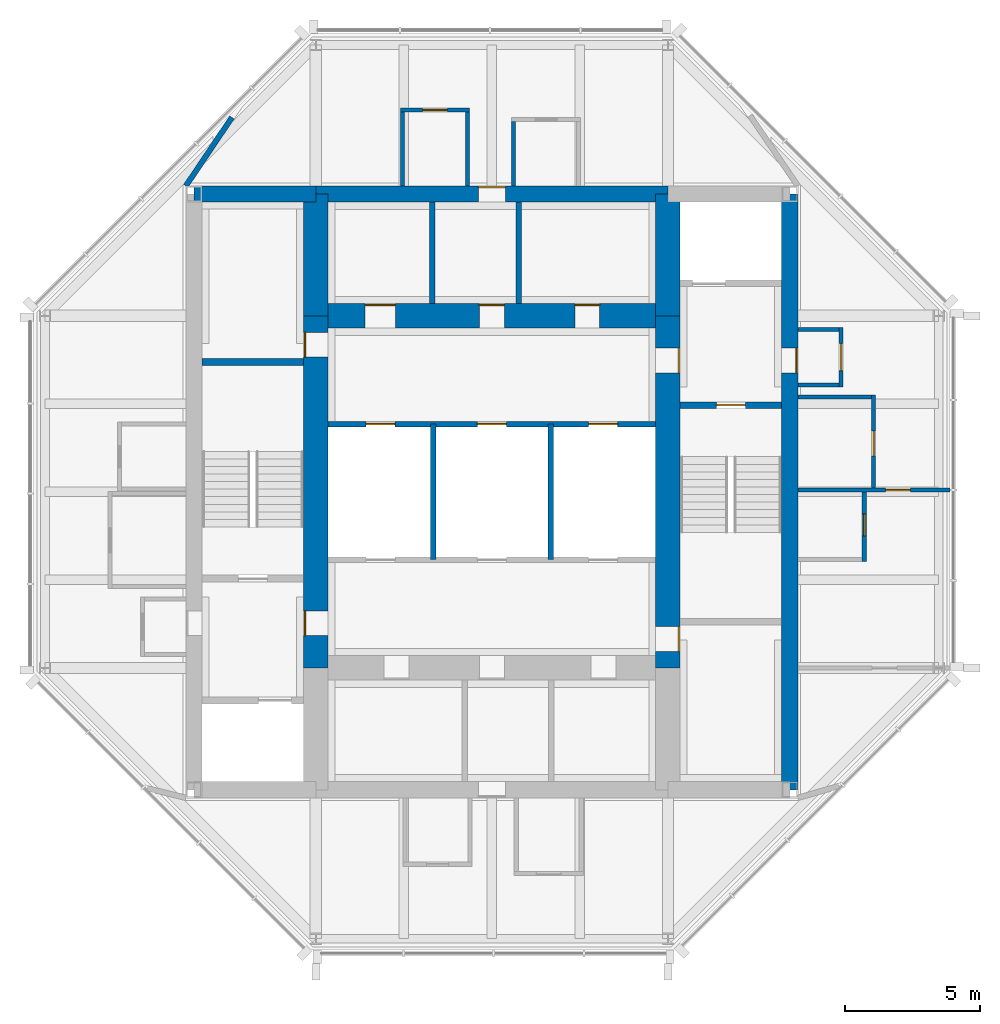
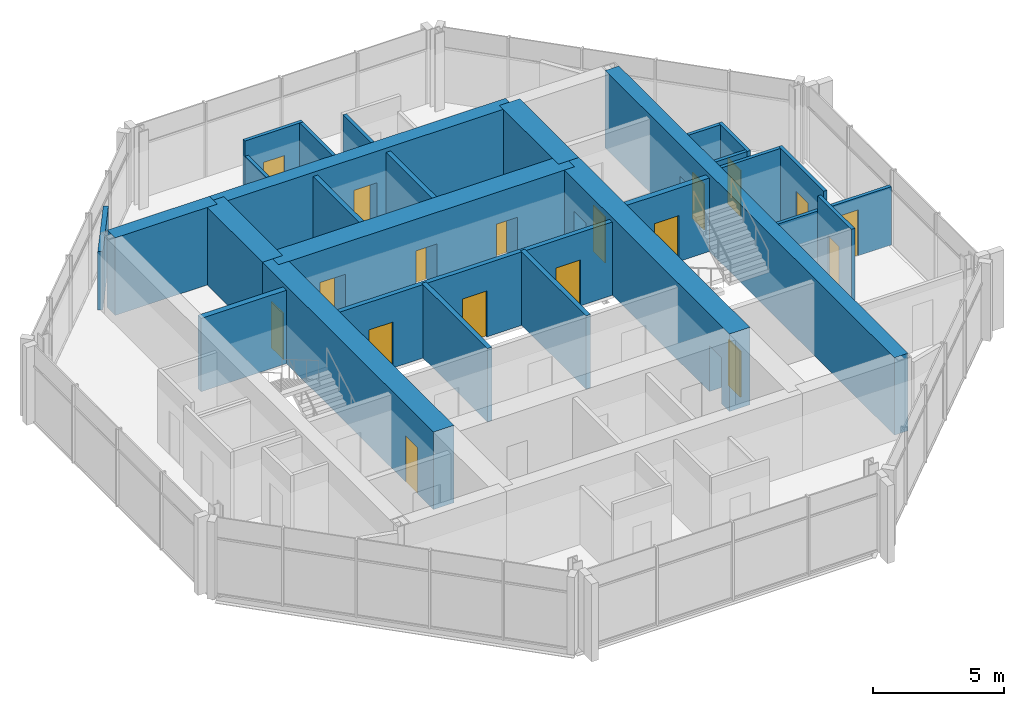
# One storey, part 6 of 8: 27 walls, 18 doors, 18 openings.
"""IFC4 building model written with IfcOpenShell, lengths in metres."""

from ifc_helpers import new_model, si_unit, direction, frame, frame_2d, origin, place, context, subcontext, project, spatial, rectangle, extrude, material, layer, layer_set, type_object, element, fill, save


model = new_model("IFC4")

# Units and contexts
model_context = context("Model", 3, precision=1e-05, world=origin(), true_north=direction((0.0, 1.0)))
body_context = subcontext(model_context, "Body", "Model", "MODEL_VIEW")
ifc_project = project(units=[si_unit("LENGTHUNIT", "METRE"), si_unit("AREAUNIT", "SQUARE_METRE"), si_unit("VOLUMEUNIT", "CUBIC_METRE"), si_unit("PLANEANGLEUNIT", "RADIAN"), si_unit("MASSUNIT", "GRAM", prefix="KILO")], contexts=[model_context])

# Site, building, storey
site_placement = place(None, origin())
site = spatial("IfcSite", under=ifc_project, at=site_placement, CompositionType="ELEMENT")
building_placement = place(site_placement, origin())
building = spatial("IfcBuilding", under=site, at=building_placement, Name="Trevanion Tower", CompositionType="ELEMENT")
storey_placement = place(building_placement, frame((0.0, 0.0, 266.800048828125)))
storey = spatial("IfcBuildingStorey", under=building, at=storey_placement, Name="L65", CompositionType="ELEMENT", Elevation=266.800048828125)

# Wall, opening, door
ifc_material_1 = material(Name="Concrete 10,000 psi", Category="concrete")
ifc_layer_1 = layer(ifc_material_1, 0.60009765625)
ifc_layer_set_1 = layer_set([ifc_layer_1], Name="CW1 core wall 600")
wall_type_1 = type_object("IfcWallType", Name="CW1 core wall 600", PredefinedType="SHEAR", material=ifc_layer_set_1)
wall_1_placement = place(storey_placement, frame((11.0, -11.0, 0.0), z_axis=(0.0, 0.0, 1.0), x_axis=(0.0, 1.0, 0.0)))
wall_1 = element("IfcWall", 1, at=wall_1_placement, inside=storey, type_object=wall_type_1, Name="CW1 CE L65", PredefinedType="SHEAR", context=body_context, shape_type="SweptSolid", body=[
    extrude(rectangle(XDim=22.0, YDim=0.60009765625, at=frame_2d((11.0, 0.0))), origin(), (0.0, 0.0, 1.0), 3.599853515625),
])
opening_1_placement = place(wall_1_placement, frame((15.392578125, 0.0, 0.0)))
opening_1 = element("IfcOpeningElement", 2, at=opening_1_placement, cuts=wall_1, Name="Opening 65-001", PredefinedType="OPENING", context=body_context, shape_type="SweptSolid", body=[
    extrude(rectangle(XDim=0.9150390625, YDim=2.134033203125, at=frame_2d((0.45751953125, 1.06689453125))), frame((0.0, 0.31005859375, 0.0), z_axis=(0.0, -1.0, 0.0), x_axis=(1.0, 0.0, 0.0)), (0.0, 0.0, 1.0), 0.6201171875),
])
ifc_material_2 = material(Name="Hollow metal, fire rated", Category="steel")
door_type_1 = type_object("IfcDoorType", Name="D3 fire lift lobby door", OperationType="SINGLE_SWING_RIGHT", PredefinedType="DOOR", material=ifc_material_2)
door_1_placement = place(opening_1_placement, origin())
door_1 = element("IfcDoor", 3, at=door_1_placement, inside=storey, type_object=door_type_1, Name="Door 65-001", OperationType="SINGLE_SWING_RIGHT", OverallHeight=2.134033203125, OverallWidth=0.9150390625, PredefinedType="DOOR", context=body_context, shape_type="SweptSolid", body=[
    extrude(rectangle(XDim=0.9150390625, YDim=2.134033203125, at=frame_2d((0.45751953125, 1.06689453125))), frame((0.0, -0.22509765625, 0.0), z_axis=(0.0, -1.0, 0.0), x_axis=(1.0, 0.0, 0.0)), (0.0, 0.0, 1.0), 0.050048828125),
])
fill(opening_1, door_1)

wall_2_placement = place(storey_placement, frame((6.5, 11.0, 0.0), z_axis=(0.0, 0.0, 1.0), x_axis=(-1.0, 0.0, 0.0)))
wall_2 = element("IfcWall", 4, at=wall_2_placement, inside=storey, type_object=wall_type_1, Name="CW1 CN2 L65", PredefinedType="SHEAR", context=body_context, shape_type="SweptSolid", body=[
    extrude(rectangle(XDim=13.0, YDim=0.60009765625, at=frame_2d((6.5, 0.0))), origin(), (0.0, 0.0, 1.0), 3.599853515625),
])
opening_2_placement = place(wall_2_placement, frame((6.0, 0.0, 0.0)))
opening_2 = element("IfcOpeningElement", 5, at=opening_2_placement, cuts=wall_2, Name="Opening 65-018", PredefinedType="OPENING", context=body_context, shape_type="SweptSolid", body=[
    extrude(rectangle(XDim=1.0, YDim=2.134033203125, at=frame_2d((0.5, 1.06689453125))), frame((0.0, 0.31005859375, 0.0), z_axis=(0.0, -1.0, 0.0), x_axis=(1.0, 0.0, 0.0)), (0.0, 0.0, 1.0), 0.6201171875),
])
ifc_material_3 = material(Name="Timber veneer on steel frame, fire rated", Category="steel")
door_type_2 = type_object("IfcDoorType", Name="D13 residence entrance door", OperationType="SINGLE_SWING_RIGHT", PredefinedType="DOOR", material=ifc_material_3)
door_2_placement = place(opening_2_placement, origin())
door_2 = element("IfcDoor", 6, at=door_2_placement, inside=storey, type_object=door_type_2, Name="Door 65-018", OperationType="SINGLE_SWING_RIGHT", OverallHeight=2.134033203125, OverallWidth=1.0, PredefinedType="DOOR", context=body_context, shape_type="SweptSolid", body=[
    extrude(rectangle(XDim=1.0, YDim=2.134033203125, at=frame_2d((0.5, 1.06689453125))), frame((0.0, -0.22509765625, 0.0), z_axis=(0.0, -1.0, 0.0), x_axis=(1.0, 0.0, 0.0)), (0.0, 0.0, 1.0), 0.050048828125),
])
fill(opening_2, door_2)

# Wall
wall_3_placement = place(storey_placement, frame((-6.5, 11.0, 0.0), z_axis=(0.0, 0.0, 1.0), x_axis=(-1.0, 0.0, 0.0)))
element("IfcWall", 7, at=wall_3_placement, inside=storey, type_object=wall_type_1, Name="CW1 CN3 L65", PredefinedType="SHEAR", context=body_context, shape_type="SweptSolid", body=[
    extrude(rectangle(XDim=4.5, YDim=0.60009765625, at=frame_2d((2.25, 0.0))), origin(), (0.0, 0.0, 1.0), 3.599853515625),
])

# Wall, openings, doors
ifc_material_4 = material(Name="Concrete 10,000 psi", Category="concrete")
ifc_layer_2 = layer(ifc_material_4, 0.89990234375)
ifc_layer_set_2 = layer_set([ifc_layer_2], Name="CW2 core wall 900")
wall_type_2 = type_object("IfcWallType", Name="CW2 core wall 900", PredefinedType="SHEAR", material=ifc_layer_set_2)
wall_4_placement = place(storey_placement, frame((6.5, -6.5, 0.0), z_axis=(0.0, 0.0, 1.0), x_axis=(0.0, 1.0, 0.0)))
wall_4 = element("IfcWall", 8, at=wall_4_placement, inside=storey, type_object=wall_type_2, Name="CW2 RE2 L65", PredefinedType="SHEAR", context=body_context, shape_type="SweptSolid", body=[
    extrude(rectangle(XDim=13.0, YDim=0.89990234375, at=frame_2d((6.5, 0.0))), origin(), (0.0, 0.0, 1.0), 3.599853515625),
])
opening_3_placement = place(wall_4_placement, frame((10.892578125, 0.0, 0.0)))
opening_3 = element("IfcOpeningElement", 9, at=opening_3_placement, cuts=wall_4, Name="Opening 65-003", PredefinedType="OPENING", context=body_context, shape_type="SweptSolid", body=[
    extrude(rectangle(XDim=0.9150390625, YDim=2.134033203125, at=frame_2d((0.45751953125, 1.06689453125))), frame((0.0, 0.4599609375, 0.0), z_axis=(0.0, -1.0, 0.0), x_axis=(1.0, 0.0, 0.0)), (0.0, 0.0, 1.0), 0.919921875),
])
opening_4_placement = place(wall_4_placement, frame((0.610107421875, 0.0, 0.0)))
opening_4 = element("IfcOpeningElement", 10, at=opening_4_placement, cuts=wall_4, Name="Opening 65-009", PredefinedType="OPENING", context=body_context, shape_type="SweptSolid", body=[
    extrude(rectangle(XDim=0.9150390625, YDim=2.134033203125, at=frame_2d((0.45751953125, 1.06689453125))), frame((0.0, 0.4599609375, 0.0), z_axis=(0.0, -1.0, 0.0), x_axis=(1.0, 0.0, 0.0)), (0.0, 0.0, 1.0), 0.919921875),
])
door_3_placement = place(opening_3_placement, origin())
door_3 = element("IfcDoor", 11, at=door_3_placement, inside=storey, type_object=door_type_1, Name="Door 65-003", OperationType="SINGLE_SWING_RIGHT", OverallHeight=2.134033203125, OverallWidth=0.9150390625, PredefinedType="DOOR", context=body_context, shape_type="SweptSolid", body=[
    extrude(rectangle(XDim=0.9150390625, YDim=2.134033203125, at=frame_2d((0.45751953125, 1.06689453125))), frame((0.0, -0.375, 0.0), z_axis=(0.0, -1.0, 0.0), x_axis=(1.0, 0.0, 0.0)), (0.0, 0.0, 1.0), 0.050048828125),
])
fill(opening_3, door_3)
ifc_material_5 = material(Name="Hollow metal, fire rated", Category="steel")
door_type_3 = type_object("IfcDoorType", Name="D5 service room door", OperationType="SINGLE_SWING_RIGHT", PredefinedType="DOOR", material=ifc_material_5)
door_4_placement = place(opening_4_placement, origin())
door_4 = element("IfcDoor", 12, at=door_4_placement, inside=storey, type_object=door_type_3, Name="Door 65-009", OperationType="SINGLE_SWING_RIGHT", OverallHeight=2.134033203125, OverallWidth=0.9150390625, PredefinedType="DOOR", context=body_context, shape_type="SweptSolid", body=[
    extrude(rectangle(XDim=0.9150390625, YDim=2.134033203125, at=frame_2d((0.45751953125, 1.06689453125))), frame((0.0, -0.375, 0.0), z_axis=(0.0, -1.0, 0.0), x_axis=(1.0, 0.0, 0.0)), (0.0, 0.0, 1.0), 0.050048828125),
])
fill(opening_4, door_4)

# Walls
for number, where, z_axis, x_axis, name in (
    (13, (6.5, 6.5, 0.0), (0.0, 0.0, 1.0), (0.0, 1.0, 0.0), "CW2 RE3 L65"),
    (14, (-6.5, 11.0, 0.0), (0.0, 0.0, 1.0), (0.0, -1.0, 0.0), "CW2 RW1 L65"),
):
    element("IfcWall", number, at=place(storey_placement, frame(where, z_axis=z_axis, x_axis=x_axis)), inside=storey, type_object=wall_type_2, Name=name, PredefinedType="SHEAR", context=body_context, shape_type="SweptSolid", body=[
        extrude(rectangle(XDim=4.5, YDim=0.89990234375, at=frame_2d((2.25, 0.0))), origin(), (0.0, 0.0, 1.0), 3.599853515625),
    ])

# Wall, openings, doors
wall_5_placement = place(storey_placement, frame((-6.5, 6.5, 0.0), z_axis=(0.0, 0.0, 1.0), x_axis=(0.0, -1.0, 0.0)))
wall_5 = element("IfcWall", 15, at=wall_5_placement, inside=storey, type_object=wall_type_2, Name="CW2 RW2 L65", PredefinedType="SHEAR", context=body_context, shape_type="SweptSolid", body=[
    extrude(rectangle(XDim=13.0, YDim=0.89990234375, at=frame_2d((6.5, 0.0))), origin(), (0.0, 0.0, 1.0), 3.599853515625),
])
opening_5_placement = place(wall_5_placement, frame((10.892578125, 0.0, 0.0)))
opening_5 = element("IfcOpeningElement", 16, at=opening_5_placement, cuts=wall_5, Name="Opening 65-004", PredefinedType="OPENING", context=body_context, shape_type="SweptSolid", body=[
    extrude(rectangle(XDim=0.9150390625, YDim=2.134033203125, at=frame_2d((0.45751953125, 1.06689453125))), frame((0.0, 0.4599609375, 0.0), z_axis=(0.0, -1.0, 0.0), x_axis=(1.0, 0.0, 0.0)), (0.0, 0.0, 1.0), 0.919921875),
])
opening_6_placement = place(wall_5_placement, frame((0.610107421875, 0.0, 0.0)))
opening_6 = element("IfcOpeningElement", 17, at=opening_6_placement, cuts=wall_5, Name="Opening 65-010", PredefinedType="OPENING", context=body_context, shape_type="SweptSolid", body=[
    extrude(rectangle(XDim=0.9150390625, YDim=2.134033203125, at=frame_2d((0.45751953125, 1.06689453125))), frame((0.0, 0.4599609375, 0.0), z_axis=(0.0, -1.0, 0.0), x_axis=(1.0, 0.0, 0.0)), (0.0, 0.0, 1.0), 0.919921875),
])
door_5_placement = place(opening_5_placement, origin())
door_5 = element("IfcDoor", 18, at=door_5_placement, inside=storey, type_object=door_type_1, Name="Door 65-004", OperationType="SINGLE_SWING_RIGHT", OverallHeight=2.134033203125, OverallWidth=0.9150390625, PredefinedType="DOOR", context=body_context, shape_type="SweptSolid", body=[
    extrude(rectangle(XDim=0.9150390625, YDim=2.134033203125, at=frame_2d((0.45751953125, 1.06689453125))), frame((0.0, -0.375, 0.0), z_axis=(0.0, -1.0, 0.0), x_axis=(1.0, 0.0, 0.0)), (0.0, 0.0, 1.0), 0.050048828125),
])
fill(opening_5, door_5)
door_6_placement = place(opening_6_placement, origin())
door_6 = element("IfcDoor", 19, at=door_6_placement, inside=storey, type_object=door_type_3, Name="Door 65-010", OperationType="SINGLE_SWING_RIGHT", OverallHeight=2.134033203125, OverallWidth=0.9150390625, PredefinedType="DOOR", context=body_context, shape_type="SweptSolid", body=[
    extrude(rectangle(XDim=0.9150390625, YDim=2.134033203125, at=frame_2d((0.45751953125, 1.06689453125))), frame((0.0, -0.375, 0.0), z_axis=(0.0, -1.0, 0.0), x_axis=(1.0, 0.0, 0.0)), (0.0, 0.0, 1.0), 0.050048828125),
])
fill(opening_6, door_6)

wall_6_placement = place(storey_placement, frame((6.5, 6.5, 0.0), z_axis=(0.0, 0.0, 1.0), x_axis=(-1.0, 0.0, 0.0)))
wall_6 = element("IfcWall", 20, at=wall_6_placement, inside=storey, type_object=wall_type_2, Name="CW2 RN L65", PredefinedType="SHEAR", context=body_context, shape_type="SweptSolid", body=[
    extrude(rectangle(XDim=13.0, YDim=0.89990234375, at=frame_2d((6.5, 0.0))), origin(), (0.0, 0.0, 1.0), 3.599853515625),
])
opening_7_placement = place(wall_6_placement, frame((6.04248046875, 0.0, 0.0)))
opening_7 = element("IfcOpeningElement", 21, at=opening_7_placement, cuts=wall_6, Name="Opening 65-017", PredefinedType="OPENING", context=body_context, shape_type="SweptSolid", body=[
    extrude(rectangle(XDim=0.9150390625, YDim=2.134033203125, at=frame_2d((0.45751953125, 1.06689453125))), frame((0.0, 0.4599609375, 0.0), z_axis=(0.0, -1.0, 0.0), x_axis=(1.0, 0.0, 0.0)), (0.0, 0.0, 1.0), 0.919921875),
])
opening_8_placement = place(wall_6_placement, frame((10.06591796875, 0.0, 0.0)))
opening_8 = element("IfcOpeningElement", 22, at=opening_8_placement, cuts=wall_6, Name="Opening 65-019", PredefinedType="OPENING", context=body_context, shape_type="SweptSolid", body=[
    extrude(rectangle(XDim=1.117919921875, YDim=2.134033203125, at=frame_2d((0.55908203125, 1.06689453125))), frame((0.0, 0.4599609375, 0.0), z_axis=(0.0, -1.0, 0.0), x_axis=(1.0, 0.0, 0.0)), (0.0, 0.0, 1.0), 0.919921875),
])
opening_9_placement = place(wall_6_placement, frame((2.517578125, 0.0, 0.0)))
opening_9 = element("IfcOpeningElement", 23, at=opening_9_placement, cuts=wall_6, Name="Opening 65-020", PredefinedType="OPENING", context=body_context, shape_type="SweptSolid", body=[
    extrude(rectangle(XDim=0.9150390625, YDim=2.134033203125, at=frame_2d((0.45751953125, 1.06689453125))), frame((0.0, 0.4599609375, 0.0), z_axis=(0.0, -1.0, 0.0), x_axis=(1.0, 0.0, 0.0)), (0.0, 0.0, 1.0), 0.919921875),
])
ifc_material_6 = material(Name="Hollow metal, fire rated", Category="steel")
door_type_4 = type_object("IfcDoorType", Name="D16 refuse room door", OperationType="SINGLE_SWING_RIGHT", PredefinedType="DOOR", material=ifc_material_6)
door_7_placement = place(opening_8_placement, origin())
door_7 = element("IfcDoor", 24, at=door_7_placement, inside=storey, type_object=door_type_4, Name="Door 65-019", OperationType="SINGLE_SWING_RIGHT", OverallHeight=2.134033203125, OverallWidth=1.117919921875, PredefinedType="DOOR", context=body_context, shape_type="SweptSolid", body=[
    extrude(rectangle(XDim=1.117919921875, YDim=2.134033203125, at=frame_2d((0.55908203125, 1.06689453125))), frame((0.0, -0.375, 0.0), z_axis=(0.0, -1.0, 0.0), x_axis=(1.0, 0.0, 0.0)), (0.0, 0.0, 1.0), 0.050048828125),
])
fill(opening_8, door_7)
door_8_placement = place(opening_7_placement, origin())
door_8 = element("IfcDoor", 25, at=door_8_placement, inside=storey, type_object=door_type_1, Name="Door 65-017", OperationType="SINGLE_SWING_RIGHT", OverallHeight=2.134033203125, OverallWidth=0.9150390625, PredefinedType="DOOR", context=body_context, shape_type="SweptSolid", body=[
    extrude(rectangle(XDim=0.9150390625, YDim=2.134033203125, at=frame_2d((0.45751953125, 1.06689453125))), frame((0.0, -0.375, 0.0), z_axis=(0.0, -1.0, 0.0), x_axis=(1.0, 0.0, 0.0)), (0.0, 0.0, 1.0), 0.050048828125),
])
fill(opening_7, door_8)
door_9_placement = place(opening_9_placement, origin())
door_9 = element("IfcDoor", 26, at=door_9_placement, inside=storey, type_object=door_type_3, Name="Door 65-020", OperationType="SINGLE_SWING_RIGHT", OverallHeight=2.134033203125, OverallWidth=0.9150390625, PredefinedType="DOOR", context=body_context, shape_type="SweptSolid", body=[
    extrude(rectangle(XDim=0.9150390625, YDim=2.134033203125, at=frame_2d((0.45751953125, 1.06689453125))), frame((0.0, -0.375, 0.0), z_axis=(0.0, -1.0, 0.0), x_axis=(1.0, 0.0, 0.0)), (0.0, 0.0, 1.0), 0.050048828125),
])
fill(opening_9, door_9)

# Wall, opening, door
ifc_material_7 = material(Name="Gypsum board on steel studs", Category="steel")
ifc_layer_3 = layer(ifc_material_7, 0.14990234375)
ifc_layer_set_3 = layer_set([ifc_layer_3], Name="PT1 partition 150")
wall_type_3 = type_object("IfcWallType", Name="PT1 partition 150", PredefinedType="PARTITIONING", material=ifc_layer_set_3)
wall_7_placement = place(storey_placement, frame((11.300048828125, 0.06494140625, 0.0), z_axis=(0.0, 0.0, 1.0), x_axis=(1.0, 0.0, 0.0)))
wall_7 = element("IfcWall", 27, at=wall_7_placement, inside=storey, type_object=wall_type_3, Name="PT1 L65 REC1", PredefinedType="PARTITIONING", context=body_context, shape_type="SweptSolid", body=[
    extrude(rectangle(XDim=5.614990234375, YDim=0.14990234375, at=frame_2d((2.8076171875, 0.0))), origin(), (0.0, 0.0, 1.0), 2.708984375),
])
opening_10_placement = place(wall_7_placement, frame((3.242431640625, 0.0, 0.0)))
opening_10 = element("IfcOpeningElement", 28, at=opening_10_placement, cuts=wall_7, Name="Opening 65-029", PredefinedType="OPENING", context=body_context, shape_type="SweptSolid", body=[
    extrude(rectangle(XDim=0.9150390625, YDim=2.134033203125, at=frame_2d((0.45751953125, 1.06689453125))), frame((0.0, 0.0849609375, 0.0), z_axis=(0.0, -1.0, 0.0), x_axis=(1.0, 0.0, 0.0)), (0.0, 0.0, 1.0), 0.169921875),
])
ifc_material_8 = material(Name="Timber veneer, solid core", Category="wood")
door_type_5 = type_object("IfcDoorType", Name="D1 office and meeting room door", OperationType="SINGLE_SWING_LEFT", PredefinedType="DOOR", material=ifc_material_8)
door_10_placement = place(opening_10_placement, origin())
door_10 = element("IfcDoor", 29, at=door_10_placement, inside=storey, type_object=door_type_5, Name="Door 65-029", OperationType="SINGLE_SWING_LEFT", OverallHeight=2.134033203125, OverallWidth=0.9150390625, PredefinedType="DOOR", context=body_context, shape_type="SweptSolid", body=[
    extrude(rectangle(XDim=0.9150390625, YDim=2.134033203125, at=frame_2d((0.45751953125, 1.06689453125))), frame((0.0, 0.02490234375, 0.0), z_axis=(0.0, -1.0, 0.0), x_axis=(1.0, 0.0, 0.0)), (0.0, 0.0, 1.0), 0.050048828125),
])
fill(opening_10, door_10)

# Walls
for number, where, z_axis, x_axis, name in (
    (30, (11.300048828125, 3.949951171875, 0.0), (0.0, 0.0, 1.0), (1.0, 0.0, 0.0), "PT1 L65 REEA"),
    (31, (11.300048828125, 6.0, 0.0), (0.0, 0.0, 1.0), (1.0, 0.0, 0.0), "PT1 L65 REEB"),
):
    element("IfcWall", number, at=place(storey_placement, frame(where, z_axis=z_axis, x_axis=x_axis)), inside=storey, type_object=wall_type_3, Name=name, PredefinedType="PARTITIONING", context=body_context, shape_type="SweptSolid", body=[
        extrude(rectangle(XDim=1.52490234375, YDim=0.14990234375, at=frame_2d((0.762451171875, 0.0))), origin(), (0.0, 0.0, 1.0), 3.409912109375),
    ])

# Wall, opening, door
wall_8_placement = place(storey_placement, frame((14.10009765625, 0.139892578125, 0.0), z_axis=(0.0, 0.0, 1.0), x_axis=(0.0, 1.0, 0.0)))
wall_8 = element("IfcWall", 32, at=wall_8_placement, inside=storey, type_object=wall_type_3, Name="PT1 L65 REKF", PredefinedType="PARTITIONING", context=body_context, shape_type="SweptSolid", body=[
    extrude(rectangle(XDim=3.43505859375, YDim=0.14990234375, at=frame_2d((1.717529296875, 0.0))), origin(), (0.0, 0.0, 1.0), 3.409912109375),
])
opening_11_placement = place(wall_8_placement, frame((1.18505859375, 0.0, 0.0)))
opening_11 = element("IfcOpeningElement", 33, at=opening_11_placement, cuts=wall_8, Name="Opening 65-026", PredefinedType="OPENING", context=body_context, shape_type="SweptSolid", body=[
    extrude(rectangle(XDim=0.9150390625, YDim=2.134033203125, at=frame_2d((0.45751953125, 1.06689453125))), frame((0.0, 0.0849609375, 0.0), z_axis=(0.0, -1.0, 0.0), x_axis=(1.0, 0.0, 0.0)), (0.0, 0.0, 1.0), 0.169921875),
])
door_11_placement = place(opening_11_placement, origin())
door_11 = element("IfcDoor", 34, at=door_11_placement, inside=storey, type_object=door_type_5, Name="Door 65-026", OperationType="SINGLE_SWING_LEFT", OverallHeight=2.134033203125, OverallWidth=0.9150390625, PredefinedType="DOOR", context=body_context, shape_type="SweptSolid", body=[
    extrude(rectangle(XDim=0.9150390625, YDim=2.134033203125, at=frame_2d((0.45751953125, 1.06689453125))), frame((0.0, 0.02490234375, 0.0), z_axis=(0.0, -1.0, 0.0), x_axis=(1.0, 0.0, 0.0)), (0.0, 0.0, 1.0), 0.050048828125),
])
fill(opening_11, door_11)

# Wall
wall_9_placement = place(storey_placement, frame((11.300048828125, 3.5, 0.0), z_axis=(0.0, 0.0, 1.0), x_axis=(1.0, 0.0, 0.0)))
element("IfcWall", 35, at=wall_9_placement, inside=storey, type_object=wall_type_3, Name="PT1 L65 REKB", PredefinedType="PARTITIONING", context=body_context, shape_type="SweptSolid", body=[
    extrude(rectangle(XDim=2.724853515625, YDim=0.14990234375, at=frame_2d((1.3623046875, 0.0))), origin(), (0.0, 0.0, 1.0), 3.409912109375),
])

# Wall, opening, door
wall_10_placement = place(storey_placement, frame((13.75, -2.574951171875, 0.0), z_axis=(0.0, 0.0, 1.0), x_axis=(0.0, 1.0, 0.0)))
wall_10 = element("IfcWall", 36, at=wall_10_placement, inside=storey, type_object=wall_type_3, Name="PT1 L65 RETF", PredefinedType="PARTITIONING", context=body_context, shape_type="SweptSolid", body=[
    extrude(rectangle(XDim=2.56494140625, YDim=0.14990234375, at=frame_2d((1.282470703125, 0.0))), origin(), (0.0, 0.0, 1.0), 3.409912109375),
])
opening_12_placement = place(wall_10_placement, frame((0.950927734375, 0.0, 0.0)))
opening_12 = element("IfcOpeningElement", 37, at=opening_12_placement, cuts=wall_10, Name="Opening 65-027", PredefinedType="OPENING", context=body_context, shape_type="SweptSolid", body=[
    extrude(rectangle(XDim=0.81298828125, YDim=2.031982421875, at=frame_2d((0.406494140625, 1.01611328125))), frame((0.0, 0.0849609375, 0.0), z_axis=(0.0, -1.0, 0.0), x_axis=(1.0, 0.0, 0.0)), (0.0, 0.0, 1.0), 0.169921875),
])
ifc_material_9 = material(Name="Timber veneer", Category="wood")
door_type_6 = type_object("IfcDoorType", Name="D14 residence bathroom door", OperationType="SINGLE_SWING_LEFT", PredefinedType="DOOR", material=ifc_material_9)
door_12_placement = place(opening_12_placement, origin())
door_12 = element("IfcDoor", 38, at=door_12_placement, inside=storey, type_object=door_type_6, Name="Door 65-027", OperationType="SINGLE_SWING_LEFT", OverallHeight=2.031982421875, OverallWidth=0.81298828125, PredefinedType="DOOR", context=body_context, shape_type="SweptSolid", body=[
    extrude(rectangle(XDim=0.81298828125, YDim=2.031982421875, at=frame_2d((0.406494140625, 1.01611328125))), frame((0.0, 0.02490234375, 0.0), z_axis=(0.0, -1.0, 0.0), x_axis=(1.0, 0.0, 0.0)), (0.0, 0.0, 1.0), 0.050048828125),
])
fill(opening_12, door_12)

wall_11_placement = place(storey_placement, frame((-0.824951171875, 14.10009765625, 0.0), z_axis=(0.0, 0.0, 1.0), x_axis=(-1.0, 0.0, 0.0)))
wall_11 = element("IfcWall", 39, at=wall_11_placement, inside=storey, type_object=wall_type_3, Name="PT1 L65 RNKF", PredefinedType="PARTITIONING", context=body_context, shape_type="SweptSolid", body=[
    extrude(rectangle(XDim=2.550048828125, YDim=0.14990234375, at=frame_2d((1.27490234375, 0.0))), origin(), (0.0, 0.0, 1.0), 3.409912109375),
])
opening_13_placement = place(wall_11_placement, frame((0.8173828125, 0.0, 0.0)))
opening_13 = element("IfcOpeningElement", 40, at=opening_13_placement, cuts=wall_11, Name="Opening 65-030", PredefinedType="OPENING", context=body_context, shape_type="SweptSolid", body=[
    extrude(rectangle(XDim=0.9150390625, YDim=2.134033203125, at=frame_2d((0.45751953125, 1.06689453125))), frame((0.0, 0.0849609375, 0.0), z_axis=(0.0, -1.0, 0.0), x_axis=(1.0, 0.0, 0.0)), (0.0, 0.0, 1.0), 0.169921875),
])
door_13_placement = place(opening_13_placement, origin())
door_13 = element("IfcDoor", 41, at=door_13_placement, inside=storey, type_object=door_type_5, Name="Door 65-030", OperationType="SINGLE_SWING_LEFT", OverallHeight=2.134033203125, OverallWidth=0.9150390625, PredefinedType="DOOR", context=body_context, shape_type="SweptSolid", body=[
    extrude(rectangle(XDim=0.9150390625, YDim=2.134033203125, at=frame_2d((0.45751953125, 1.06689453125))), frame((0.0, 0.02490234375, 0.0), z_axis=(0.0, -1.0, 0.0), x_axis=(1.0, 0.0, 0.0)), (0.0, 0.0, 1.0), 0.050048828125),
])
fill(opening_13, door_13)

# Walls
wall_12_placement = place(storey_placement, frame((-0.89990234375, 11.300048828125, 0.0), z_axis=(0.0, 0.0, 1.0), x_axis=(0.0, 1.0, 0.0)))
element("IfcWall", 42, at=wall_12_placement, inside=storey, type_object=wall_type_3, Name="PT1 L65 RNKA", PredefinedType="PARTITIONING", context=body_context, shape_type="SweptSolid", body=[
    extrude(rectangle(XDim=2.724853515625, YDim=0.14990234375, at=frame_2d((1.3623046875, 0.0))), origin(), (0.0, 0.0, 1.0), 3.409912109375),
])
wall_13_placement = place(storey_placement, frame((-3.300048828125, 11.300048828125, 0.0), z_axis=(0.0, 0.0, 1.0), x_axis=(0.0, 1.0, 0.0)))
element("IfcWall", 43, at=wall_13_placement, inside=storey, type_object=wall_type_3, Name="PT1 L65 RNKB", PredefinedType="PARTITIONING", context=body_context, shape_type="SweptSolid", body=[
    extrude(rectangle(XDim=2.724853515625, YDim=0.14990234375, at=frame_2d((1.3623046875, 0.0))), origin(), (0.0, 0.0, 1.0), 2.708984375),
])
wall_14_placement = place(storey_placement, frame((0.800048828125, 11.300048828125, 0.0), z_axis=(0.0, 0.0, 1.0), x_axis=(0.0, 1.0, 0.0)))
element("IfcWall", 44, at=wall_14_placement, inside=storey, type_object=wall_type_3, Name="PT1 L65 RNTB", PredefinedType="PARTITIONING", context=body_context, shape_type="SweptSolid", body=[
    extrude(rectangle(XDim=2.375, YDim=0.14990234375, at=frame_2d((1.1875, 0.0))), origin(), (0.0, 0.0, 1.0), 3.409912109375),
])

# Wall, opening, door
ifc_material_10 = material(Name="Gypsum board on steel studs", Category="steel")
ifc_layer_4 = layer(ifc_material_10, 0.14990234375)
ifc_layer_set_4 = layer_set([ifc_layer_4], Name="PT1 partition 150 1 HR")
wall_type_4 = type_object("IfcWallType", Name="PT1 partition 150 1 HR", PredefinedType="PARTITIONING", material=ifc_layer_set_4)
wall_15_placement = place(storey_placement, frame((12.89990234375, 3.875, 0.0), z_axis=(0.0, 0.0, 1.0), x_axis=(0.0, 1.0, 0.0)))
wall_15 = element("IfcWall", 45, at=wall_15_placement, inside=storey, type_object=wall_type_4, Name="PT1 L65 REEF", PredefinedType="PARTITIONING", context=body_context, shape_type="SweptSolid", body=[
    extrude(rectangle(XDim=2.199951171875, YDim=0.14990234375, at=frame_2d((1.10009765625, 0.0))), origin(), (0.0, 0.0, 1.0), 3.409912109375),
])
opening_14_placement = place(wall_15_placement, frame((0.60009765625, 0.0, 0.0)))
opening_14 = element("IfcOpeningElement", 46, at=opening_14_placement, cuts=wall_15, Name="Opening 65-025", PredefinedType="OPENING", context=body_context, shape_type="SweptSolid", body=[
    extrude(rectangle(XDim=1.0, YDim=2.134033203125, at=frame_2d((0.5, 1.06689453125))), frame((0.0, 0.0849609375, 0.0), z_axis=(0.0, -1.0, 0.0), x_axis=(1.0, 0.0, 0.0)), (0.0, 0.0, 1.0), 0.169921875),
])
door_14_placement = place(opening_14_placement, origin())
door_14 = element("IfcDoor", 47, at=door_14_placement, inside=storey, type_object=door_type_2, Name="Door 65-025", OperationType="SINGLE_SWING_RIGHT", OverallHeight=2.134033203125, OverallWidth=1.0, PredefinedType="DOOR", context=body_context, shape_type="SweptSolid", body=[
    extrude(rectangle(XDim=1.0, YDim=2.134033203125, at=frame_2d((0.5, 1.06689453125))), frame((0.0, 0.02490234375, 0.0), z_axis=(0.0, -1.0, 0.0), x_axis=(1.0, 0.0, 0.0)), (0.0, 0.0, 1.0), 0.050048828125),
])
fill(opening_14, door_14)

# Wall, openings, doors
ifc_material_11 = material(Name="Concrete masonry, grouted", Category="masonry")
ifc_layer_5 = layer(ifc_material_11, 0.199951171875)
ifc_layer_set_5 = layer_set([ifc_layer_5], Name="PT2 partition 200 1 HR")
wall_type_5 = type_object("IfcWallType", Name="PT2 partition 200 1 HR", PredefinedType="PARTITIONING", material=ifc_layer_set_5)
wall_16_placement = place(storey_placement, frame((-6.050048828125, 2.5, 0.0), z_axis=(0.0, 0.0, 1.0), x_axis=(1.0, 0.0, 0.0)))
wall_16 = element("IfcWall", 48, at=wall_16_placement, inside=storey, type_object=wall_type_5, Name="PT2 L65 CP1", PredefinedType="PARTITIONING", context=body_context, shape_type="SweptSolid", body=[
    extrude(rectangle(XDim=12.10009765625, YDim=0.199951171875, at=frame_2d((6.050048828125, 0.0))), origin(), (0.0, 0.0, 1.0), 3.409912109375),
])
opening_15_placement = place(wall_16_placement, frame((1.408203125, 0.0, 0.0)))
opening_15 = element("IfcOpeningElement", 49, at=opening_15_placement, cuts=wall_16, Name="Opening 65-011", PredefinedType="OPENING", context=body_context, shape_type="SweptSolid", body=[
    extrude(rectangle(XDim=1.06689453125, YDim=2.134033203125, at=frame_2d((0.533447265625, 1.06689453125))), frame((0.0, 0.10986328125, 0.0), z_axis=(0.0, -1.0, 0.0), x_axis=(1.0, 0.0, 0.0)), (0.0, 0.0, 1.0), 0.219970703125),
])
opening_16_placement = place(wall_16_placement, frame((5.5166015625, 0.0, 0.0)))
opening_16 = element("IfcOpeningElement", 50, at=opening_16_placement, cuts=wall_16, Name="Opening 65-013", PredefinedType="OPENING", context=body_context, shape_type="SweptSolid", body=[
    extrude(rectangle(XDim=1.06689453125, YDim=2.134033203125, at=frame_2d((0.533447265625, 1.06689453125))), frame((0.0, 0.10986328125, 0.0), z_axis=(0.0, -1.0, 0.0), x_axis=(1.0, 0.0, 0.0)), (0.0, 0.0, 1.0), 0.219970703125),
])
opening_17_placement = place(wall_16_placement, frame((9.624755859375, 0.0, 0.0)))
opening_17 = element("IfcOpeningElement", 51, at=opening_17_placement, cuts=wall_16, Name="Opening 65-015", PredefinedType="OPENING", context=body_context, shape_type="SweptSolid", body=[
    extrude(rectangle(XDim=1.06689453125, YDim=2.134033203125, at=frame_2d((0.533447265625, 1.06689453125))), frame((0.0, 0.10986328125, 0.0), z_axis=(0.0, -1.0, 0.0), x_axis=(1.0, 0.0, 0.0)), (0.0, 0.0, 1.0), 0.219970703125),
])
ifc_material_12 = material(Name="Stainless steel, fire rated", Category="steel")
door_type_7 = type_object("IfcDoorType", Name="LD1 lift landing door", OperationType="SLIDING_TO_LEFT", PredefinedType="DOOR", material=ifc_material_12)
door_15_placement = place(opening_15_placement, origin())
door_15 = element("IfcDoor", 52, at=door_15_placement, inside=storey, type_object=door_type_7, Name="Door 65-011", OperationType="SLIDING_TO_LEFT", OverallHeight=2.134033203125, OverallWidth=1.06689453125, PredefinedType="DOOR", context=body_context, shape_type="SweptSolid", body=[
    extrude(rectangle(XDim=1.06689453125, YDim=2.134033203125, at=frame_2d((0.533447265625, 1.06689453125))), frame((0.0, 0.02490234375, 0.0), z_axis=(0.0, -1.0, 0.0), x_axis=(1.0, 0.0, 0.0)), (0.0, 0.0, 1.0), 0.050048828125),
])
fill(opening_15, door_15)
door_16_placement = place(opening_16_placement, origin())
door_16 = element("IfcDoor", 53, at=door_16_placement, inside=storey, type_object=door_type_7, Name="Door 65-013", OperationType="SLIDING_TO_LEFT", OverallHeight=2.134033203125, OverallWidth=1.06689453125, PredefinedType="DOOR", context=body_context, shape_type="SweptSolid", body=[
    extrude(rectangle(XDim=1.06689453125, YDim=2.134033203125, at=frame_2d((0.533447265625, 1.06689453125))), frame((0.0, 0.02490234375, 0.0), z_axis=(0.0, -1.0, 0.0), x_axis=(1.0, 0.0, 0.0)), (0.0, 0.0, 1.0), 0.050048828125),
])
fill(opening_16, door_16)
door_17_placement = place(opening_17_placement, origin())
door_17 = element("IfcDoor", 54, at=door_17_placement, inside=storey, type_object=door_type_7, Name="Door 65-015", OperationType="SLIDING_TO_LEFT", OverallHeight=2.134033203125, OverallWidth=1.06689453125, PredefinedType="DOOR", context=body_context, shape_type="SweptSolid", body=[
    extrude(rectangle(XDim=1.06689453125, YDim=2.134033203125, at=frame_2d((0.533447265625, 1.06689453125))), frame((0.0, 0.02490234375, 0.0), z_axis=(0.0, -1.0, 0.0), x_axis=(1.0, 0.0, 0.0)), (0.0, 0.0, 1.0), 0.050048828125),
])
fill(opening_17, door_17)

# Walls
for number, where, z_axis, x_axis, name in (
    (55, (-2.199951171875, 6.949951171875, 0.0), (0.0, 0.0, 1.0), (0.0, 1.0, 0.0), "PT2 L65 CNP1"),
    (56, (1.0, 6.949951171875, 0.0), (0.0, 0.0, 1.0), (0.0, 1.0, 0.0), "PT2 L65 CNP2"),
):
    element("IfcWall", number, at=place(storey_placement, frame(where, z_axis=z_axis, x_axis=x_axis)), inside=storey, type_object=wall_type_5, Name=name, PredefinedType="PARTITIONING", context=body_context, shape_type="SweptSolid", body=[
        extrude(rectangle(XDim=3.75, YDim=0.199951171875, at=frame_2d((1.875, 0.0))), origin(), (0.0, 0.0, 1.0), 3.409912109375),
    ])
wall_17_placement = place(storey_placement, frame((-11.300048828125, 11.300048828125, 0.0), z_axis=(0.0, 0.0, 1.0), x_axis=(0.558834300538, 0.829279340477, 0.0)))
element("IfcWall", 57, at=wall_17_placement, inside=storey, type_object=wall_type_5, Name="PT2 L65 UB1", PredefinedType="PARTITIONING", context=body_context, shape_type="SweptSolid", body=[
    extrude(rectangle(XDim=3.047607421875, YDim=0.199951171875, at=frame_2d((1.52392578125, 0.0))), origin(), (0.0, 0.0, 1.0), 2.703857421875),
])
ifc_material_13 = material(Name="Concrete masonry, grouted", Category="masonry")
ifc_layer_6 = layer(ifc_material_13, 0.199951171875)
ifc_layer_set_6 = layer_set([ifc_layer_6], Name="PT2 partition 200 2 HR")
wall_type_6 = type_object("IfcWallType", Name="PT2 partition 200 2 HR", PredefinedType="PARTITIONING", material=ifc_layer_set_6)
for number, where, z_axis, x_axis, name in (
    (58, (-2.166748046875, -2.5, 0.0), (0.0, 0.0, 1.0), (0.0, 1.0, 0.0), "PT2 L65 MS0"),
    (59, (2.166748046875, -2.5, 0.0), (0.0, 0.0, 1.0), (0.0, 1.0, 0.0), "PT2 L65 MS1"),
):
    element("IfcWall", number, at=place(storey_placement, frame(where, z_axis=z_axis, x_axis=x_axis)), inside=storey, type_object=wall_type_6, Name=name, PredefinedType="PARTITIONING", context=body_context, shape_type="SweptSolid", body=[
        extrude(rectangle(XDim=5.0, YDim=0.199951171875, at=frame_2d((2.5, 0.0))), origin(), (0.0, 0.0, 1.0), 3.409912109375),
    ])
ifc_material_14 = material(Name="Reinforced masonry, fully grouted", Category="masonry")
ifc_layer_7 = layer(ifc_material_14, 0.25)
ifc_layer_set_7 = layer_set([ifc_layer_7], Name="SW1 stair shaft wall 250")
wall_type_7 = type_object("IfcWallType", Name="SW1 stair shaft wall 250", PredefinedType="SOLIDWALL", material=ifc_layer_set_7)
wall_18_placement = place(storey_placement, frame((-6.949951171875, 4.800048828125, 0.0), z_axis=(0.0, 0.0, 1.0), x_axis=(-1.0, 0.0, 0.0)))
element("IfcWall", 60, at=wall_18_placement, inside=storey, type_object=wall_type_7, Name="SW1 L65 WP1", PredefinedType="SOLIDWALL", context=body_context, shape_type="SweptSolid", body=[
    extrude(rectangle(XDim=3.75, YDim=0.25, at=frame_2d((1.875, 0.0))), origin(), (0.0, 0.0, 1.0), 3.409912109375),
])

# Wall, opening, door
wall_19_placement = place(storey_placement, frame((6.949951171875, 3.199951171875, 0.0), z_axis=(0.0, 0.0, 1.0), x_axis=(1.0, 0.0, 0.0)))
wall_19 = element("IfcWall", 61, at=wall_19_placement, inside=storey, type_object=wall_type_7, Name="SW1 L65 EP2", PredefinedType="SOLIDWALL", context=body_context, shape_type="SweptSolid", body=[
    extrude(rectangle(XDim=3.75, YDim=0.25, at=frame_2d((1.875, 0.0))), origin(), (0.0, 0.0, 1.0), 3.409912109375),
])
opening_18_placement = place(wall_19_placement, frame((1.341552734375, 0.0, 0.0)))
opening_18 = element("IfcOpeningElement", 62, at=opening_18_placement, cuts=wall_19, Name="Opening 65-005", PredefinedType="OPENING", context=body_context, shape_type="SweptSolid", body=[
    extrude(rectangle(XDim=1.06689453125, YDim=2.134033203125, at=frame_2d((0.533447265625, 1.06689453125))), frame((0.0, 0.135009765625, 0.0), z_axis=(0.0, -1.0, 0.0), x_axis=(1.0, 0.0, 0.0)), (0.0, 0.0, 1.0), 0.27001953125),
])
ifc_material_15 = material(Name="Hollow metal, fire rated", Category="steel")
door_type_8 = type_object("IfcDoorType", Name="D2 exit stair door", OperationType="SINGLE_SWING_LEFT", PredefinedType="DOOR", material=ifc_material_15)
door_18_placement = place(opening_18_placement, origin())
door_18 = element("IfcDoor", 63, at=door_18_placement, inside=storey, type_object=door_type_8, Name="Door 65-005", OperationType="SINGLE_SWING_LEFT", OverallHeight=2.134033203125, OverallWidth=1.06689453125, PredefinedType="DOOR", context=body_context, shape_type="SweptSolid", body=[
    extrude(rectangle(XDim=1.06689453125, YDim=2.134033203125, at=frame_2d((0.533447265625, 1.06689453125))), frame((0.0, 0.02490234375, 0.0), z_axis=(0.0, -1.0, 0.0), x_axis=(1.0, 0.0, 0.0)), (0.0, 0.0, 1.0), 0.050048828125),
])
fill(opening_18, door_18)

save(model, "model.ifc")
